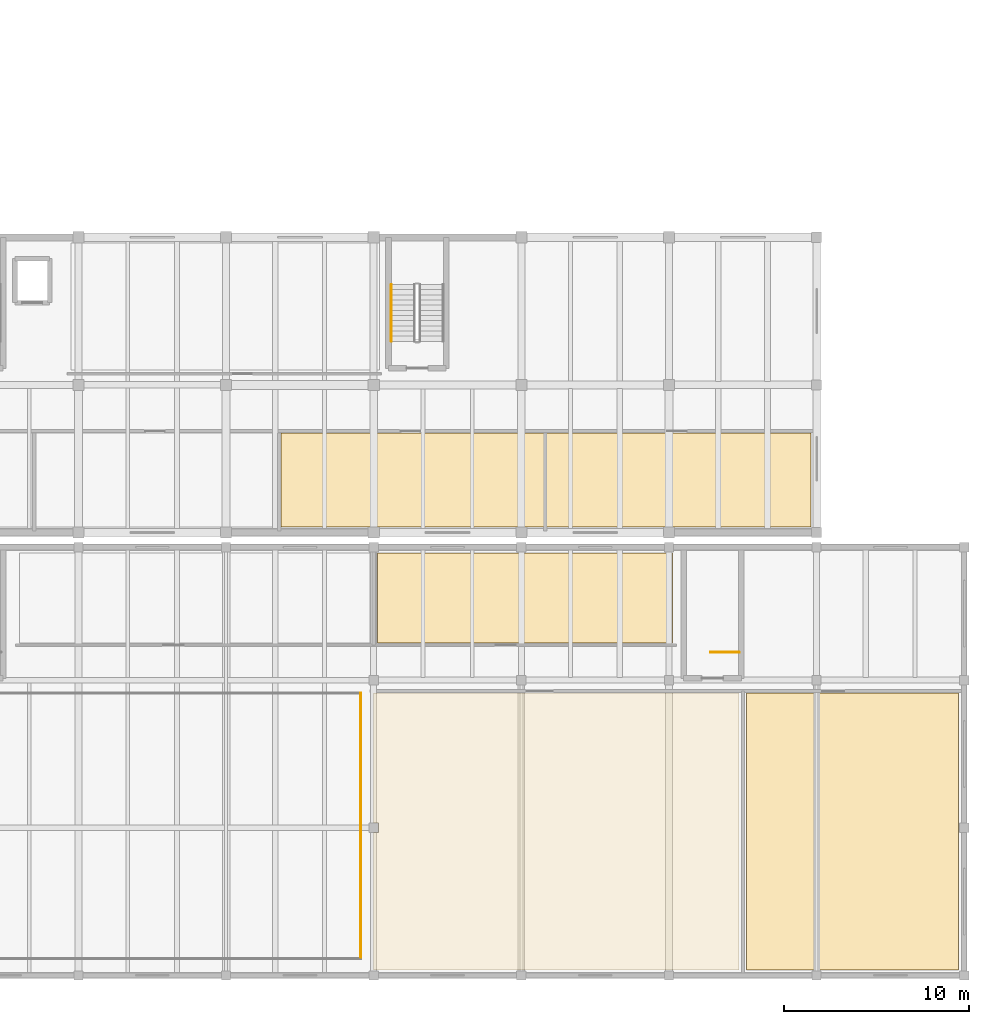
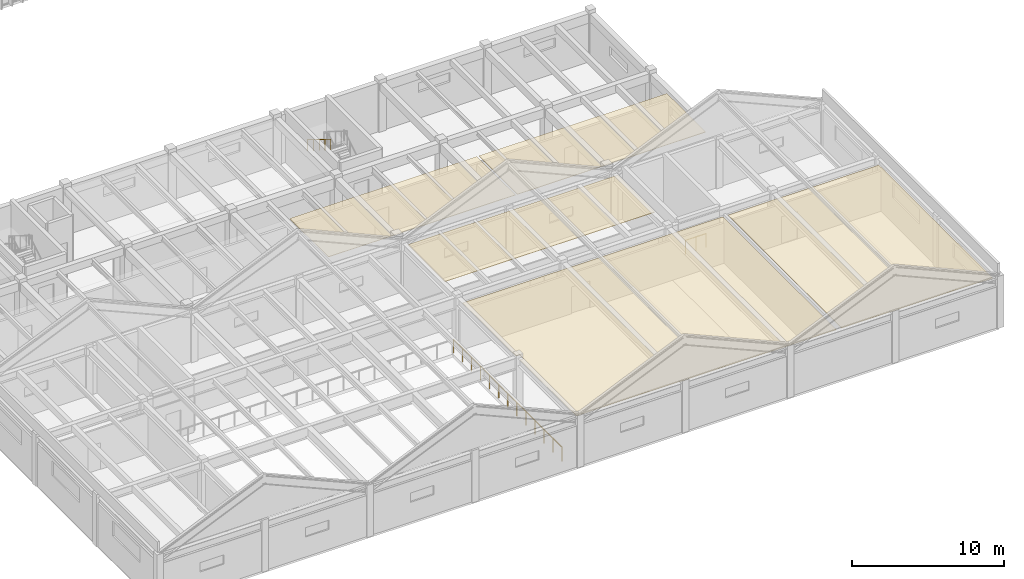
# One storey, part 65 of 67: 5 coverings, 3 railings.
"""IFC4 building model written with IfcOpenShell, lengths in metres."""

from ifc_helpers import new_model, si_unit, direction, frame, origin, origin_2d, place, context, subcontext, project, spatial, polyline, circle, outline, extrude, material, layer, layer_set, type_object, element, save


model = new_model("IFC4")

# Units and contexts
model_context = context("Model", 3, precision=1e-05, world=origin(), true_north=direction((0.0, 1.0)))
body_context = subcontext(model_context, "Body", "Model", "MODEL_VIEW")
ifc_project = project(units=[si_unit("LENGTHUNIT", "METRE"), si_unit("AREAUNIT", "SQUARE_METRE"), si_unit("VOLUMEUNIT", "CUBIC_METRE"), si_unit("PLANEANGLEUNIT", "RADIAN"), si_unit("MASSUNIT", "GRAM", prefix="KILO")], contexts=[model_context])

# Site, building, storey
site_placement = place(None, origin())
site = spatial("IfcSite", under=ifc_project, at=site_placement, CompositionType="ELEMENT")
building_placement = place(site_placement, origin())
building = spatial("IfcBuilding", under=site, at=building_placement, Name="Tlaxcora Railside Police Headquarters", CompositionType="ELEMENT")
storey_placement = place(building_placement, frame((0.0, 0.0, 4.800048828125)))
storey = spatial("IfcBuildingStorey", under=building, at=storey_placement, Name="L01", CompositionType="ELEMENT", Elevation=4.800048828125)

# Coverings
ifc_material_1 = material(Name="Mineral-fibre acoustic ceiling tile")
ifc_layer = layer(ifc_material_1, 0.034912109375, Name="Mineral-fibre acoustic ceiling tile")
ifc_layer_set = layer_set([ifc_layer], Name="Mineral-fibre acoustic ceiling tile")
covering_type = type_object("IfcCoveringType", Name="Acoustic Suspended Ceiling CLG-01", PredefinedType="CEILING", material=ifc_layer_set)
covering_1_placement = place(storey_placement, frame((0.0, 0.0, 3.764892578125)))
element("IfcCovering", 1, at=covering_1_placement, inside=storey, type_object=covering_type, Name="Defensive Tactics Dojo Hall suspended ceiling", PredefinedType="CEILING", context=body_context, shape_type="SweptSolid", body=[
    extrude(outline(polyline([(134.800048828125, 12.300048828125), (154.60009765625, 12.300048828125), (154.60009765625, 27.300048828125), (134.800048828125, 27.300048828125), (134.800048828125, 20.260009765625), (135.06005859375, 20.260009765625), (135.06005859375, 19.739990234375), (134.800048828125, 19.739990234375), (134.800048828125, 12.300048828125)])), origin(), (0.0, 0.0, 1.0), 0.03515625),
])
covering_2_placement = place(storey_placement, frame((0.0, 0.0, 3.764892578125)))
element("IfcCovering", 2, at=covering_2_placement, inside=storey, type_object=covering_type, Name="Cardio Conditioning and Physiotherapy Studio suspended ceiling", PredefinedType="CEILING", context=body_context, shape_type="SweptSolid", body=[
    extrude(outline(polyline([(166.5, 12.300048828125), (166.5, 27.300048828125), (155.0, 27.300048828125), (155.0, 12.300048828125), (166.5, 12.300048828125)])), origin(), (0.0, 0.0, 1.0), 0.03515625),
])
covering_3_placement = place(storey_placement, frame((0.0, 0.0, 3.764892578125)))
element("IfcCovering", 3, at=covering_3_placement, inside=storey, type_object=covering_type, Name="Tactical Medic First-Aid Training Room suspended ceiling", PredefinedType="CEILING", context=body_context, shape_type="SweptSolid", body=[
    extrude(outline(polyline([(151.0, 30.0), (151.0, 34.89990234375), (135.0, 34.89990234375), (135.0, 30.0), (151.0, 30.0)])), origin(), (0.0, 0.0, 1.0), 0.03515625),
])
covering_4_placement = place(storey_placement, frame((0.0, 0.0, 3.764892578125)))
element("IfcCovering", 4, at=covering_4_placement, inside=storey, type_object=covering_type, Name="Juvenile and Vulnerable Witness Suite suspended ceiling", PredefinedType="CEILING", context=body_context, shape_type="SweptSolid", body=[
    extrude(outline(polyline([(129.77197265625, 41.39990234375), (129.77197265625, 36.300048828125), (134.489990234375, 36.300048828125), (134.489990234375, 36.31005859375), (135.110107421875, 36.31005859375), (135.110107421875, 36.300048828125), (142.489990234375, 36.300048828125), (142.489990234375, 36.31005859375), (143.110107421875, 36.31005859375), (143.110107421875, 36.300048828125), (144.01611328125, 36.300048828125), (144.01611328125, 41.39990234375), (129.77197265625, 41.39990234375)])), origin(), (0.0, 0.0, 1.0), 0.03515625),
])
covering_5_placement = place(storey_placement, frame((0.0, 0.0, 3.764892578125)))
element("IfcCovering", 5, at=covering_5_placement, inside=storey, type_object=covering_type, Name="Identification Parade and Biometrics Room suspended ceiling", PredefinedType="CEILING", context=body_context, shape_type="SweptSolid", body=[
    extrude(outline(polyline([(144.176025390625, 36.300048828125), (150.489990234375, 36.300048828125), (150.489990234375, 36.31005859375), (151.110107421875, 36.31005859375), (151.110107421875, 36.300048828125), (158.5, 36.300048828125), (158.5, 41.39990234375), (144.176025390625, 41.39990234375), (144.176025390625, 36.300048828125)])), origin(), (0.0, 0.0, 1.0), 0.03515625),
])

# Railings
ifc_material_2 = material(Name="Steel ASTM A992 Grade 50", Category="steel")
railing_type_1 = type_object("IfcRailingType", Name="Stair Well Guard Balustrade GR-02", PredefinedType="BALUSTRADE", material=ifc_material_2)
railing_1_placement = place(storey_placement, frame((154.610107421875, 29.510009765625, 0.0)))
element("IfcRailing", 6, at=railing_1_placement, inside=storey, type_object=railing_type_1, Name="L01 ST12 top well guard 1", PredefinedType="BALUSTRADE", context=body_context, shape_type="SweptSolid", body=[
    extrude(circle(Radius=0.02392578125, at=origin_2d()), frame((0.0, 0.0, 1.09619140625), z_axis=(-1.0, 0.0, 0.0), x_axis=(0.0, -1.0, 0.0)), (0.0, 0.0, 1.0), 1.550048828125),
    extrude(circle(Radius=0.02099609375, at=origin_2d()), origin(), (0.0, 0.0, 1.0), 1.072021484375),
    extrude(circle(Radius=0.02099609375, at=origin_2d()), frame((-0.77490234375, 0.0, 0.0)), (0.0, 0.0, 1.0), 1.072021484375),
    extrude(circle(Radius=0.02099609375, at=origin_2d()), frame((-1.550048828125, 0.0, 0.0)), (0.0, 0.0, 1.0), 1.072021484375),
])
railing_type_2 = type_object("IfcRailingType", Name="Stair and Ramp Handrail HR-01", PredefinedType="HANDRAIL", material=ifc_material_2)
railing_2_placement = place(storey_placement, frame((135.760009765625, 49.43994140625, 2.27490234375)))
element("IfcRailing", 7, at=railing_2_placement, inside=storey, type_object=railing_type_2, Name="L01 ST11 stair handrail 2", PredefinedType="HANDRAIL", context=body_context, shape_type="SweptSolid", body=[
    extrude(circle(Radius=0.02392578125, at=origin_2d()), frame((0.0, 0.0, 0.8759765625), z_axis=(0.0, -0.847979421464, 0.530029150871), x_axis=(1.0, 0.0, 0.0)), (0.0, 0.0, 1.0), 3.632080078125),
    extrude(circle(Radius=0.02099609375, at=origin_2d()), origin(), (0.0, 0.0, 1.0), 0.851806640625),
    extrude(circle(Radius=0.02099609375, at=origin_2d()), frame((0.0, -0.77001953125, 0.481201171875)), (0.0, 0.0, 1.0), 0.851806640625),
    extrude(circle(Radius=0.02099609375, at=origin_2d()), frame((0.0, -1.5400390625, 0.96240234375)), (0.0, 0.0, 1.0), 0.851806640625),
    extrude(circle(Radius=0.02099609375, at=origin_2d()), frame((0.0, -2.309814453125, 1.44384765625)), (0.0, 0.0, 1.0), 0.851806640625),
    extrude(circle(Radius=0.02099609375, at=origin_2d()), frame((0.0, -3.079833984375, 1.925048828125)), (0.0, 0.0, 1.0), 0.851806640625),
])
railing_type_3 = type_object("IfcRailingType", Name="Terrace Perimeter Guard Balustrade GR-01", PredefinedType="BALUSTRADE", material=ifc_material_2)
railing_3_placement = place(storey_placement, frame((134.10009765625, 12.97998046875, 0.0)))
element("IfcRailing", 8, at=railing_3_placement, inside=storey, type_object=railing_type_3, Name="Atrium and well guard L01-10", PredefinedType="BALUSTRADE", context=body_context, shape_type="SweptSolid", body=[
    extrude(circle(Radius=0.02392578125, at=origin_2d()), frame((0.0, 0.0, 1.09619140625), z_axis=(0.0, 1.0, 0.0), x_axis=(-1.0, 0.0, 0.0)), (0.0, 0.0, 1.0), 14.320068359375),
    extrude(circle(Radius=0.02099609375, at=origin_2d()), origin(), (0.0, 0.0, 1.0), 1.072021484375),
    extrude(circle(Radius=0.02099609375, at=origin_2d()), frame((0.0, 1.193359375, 0.0)), (0.0, 0.0, 1.0), 1.072021484375),
    extrude(circle(Radius=0.02099609375, at=origin_2d()), frame((0.0, 2.38671875, 0.0)), (0.0, 0.0, 1.0), 1.072021484375),
    extrude(circle(Radius=0.02099609375, at=origin_2d()), frame((0.0, 3.580078125, 0.0)), (0.0, 0.0, 1.0), 1.072021484375),
    extrude(circle(Radius=0.02099609375, at=origin_2d()), frame((0.0, 4.7734375, 0.0)), (0.0, 0.0, 1.0), 1.072021484375),
    extrude(circle(Radius=0.02099609375, at=origin_2d()), frame((0.0, 5.966796875, 0.0)), (0.0, 0.0, 1.0), 1.072021484375),
    extrude(circle(Radius=0.02099609375, at=origin_2d()), frame((0.0, 7.16015625, 0.0)), (0.0, 0.0, 1.0), 1.072021484375),
    extrude(circle(Radius=0.02099609375, at=origin_2d()), frame((0.0, 8.353271484375, 0.0)), (0.0, 0.0, 1.0), 1.072021484375),
    extrude(circle(Radius=0.02099609375, at=origin_2d()), frame((0.0, 9.546630859375, 0.0)), (0.0, 0.0, 1.0), 1.072021484375),
    extrude(circle(Radius=0.02099609375, at=origin_2d()), frame((0.0, 10.739990234375, 0.0)), (0.0, 0.0, 1.0), 1.072021484375),
    extrude(circle(Radius=0.02099609375, at=origin_2d()), frame((0.0, 11.933349609375, 0.0)), (0.0, 0.0, 1.0), 1.072021484375),
    extrude(circle(Radius=0.02099609375, at=origin_2d()), frame((0.0, 13.126708984375, 0.0)), (0.0, 0.0, 1.0), 1.072021484375),
    extrude(circle(Radius=0.02099609375, at=origin_2d()), frame((0.0, 14.320068359375, 0.0)), (0.0, 0.0, 1.0), 1.072021484375),
])

save(model, "model.ifc")
